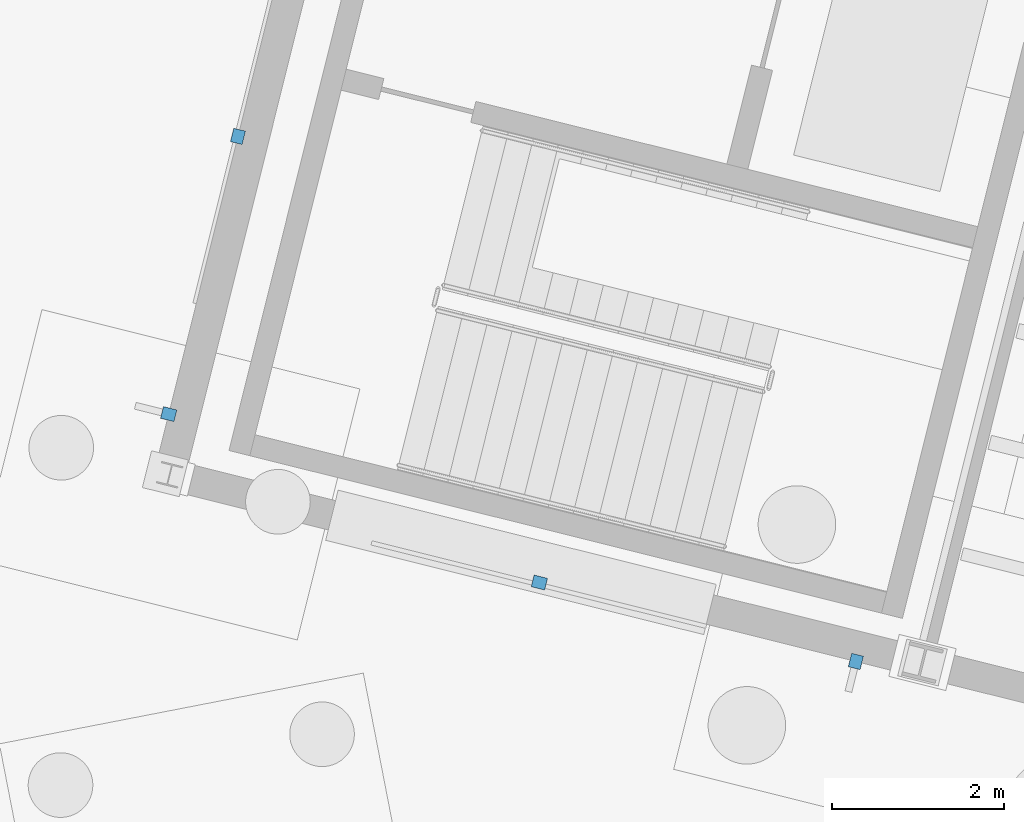
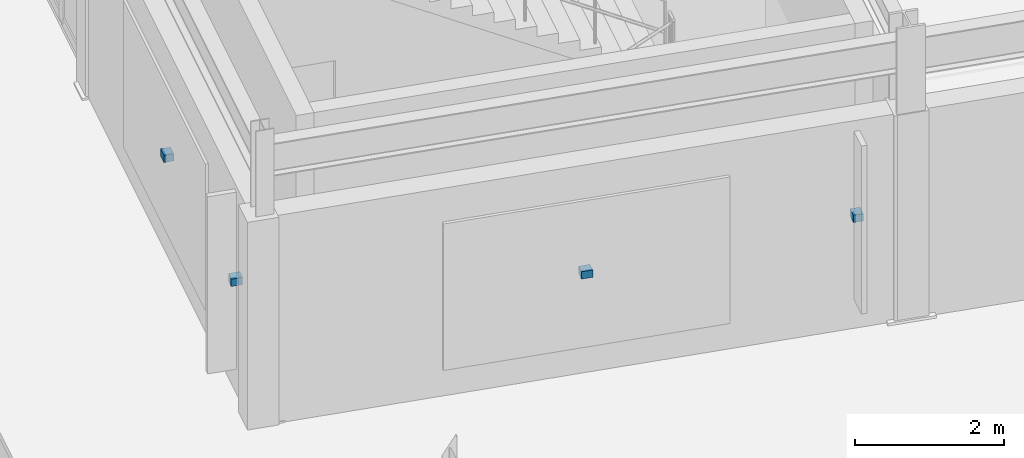
# One storey, part 93 of 108: 4 discrete accessories.
"""IFC4 building model written with IfcOpenShell, lengths in metres."""

from ifc_helpers import new_model, si_unit, direction, frame, origin, origin_2d, place, context, subcontext, project, spatial, rectangle, extrude, material, type_object, element, save


model = new_model("IFC4")

# Units and contexts
model_context = context("Model", 3, precision=1e-05, world=origin(), true_north=direction((0.0, 1.0)))
body_context = subcontext(model_context, "Body", "Model", "MODEL_VIEW")
ifc_project = project(units=[si_unit("LENGTHUNIT", "METRE"), si_unit("AREAUNIT", "SQUARE_METRE"), si_unit("VOLUMEUNIT", "CUBIC_METRE"), si_unit("PLANEANGLEUNIT", "RADIAN"), si_unit("MASSUNIT", "GRAM", prefix="KILO")], contexts=[model_context])

# Site, building, storey
site_placement = place(None, origin())
site = spatial("IfcSite", under=ifc_project, at=site_placement, CompositionType="ELEMENT")
building_placement = place(site_placement, origin())
building = spatial("IfcBuilding", under=site, at=building_placement, Name="Vireo Bluff Cable Station", CompositionType="ELEMENT")
storey_placement = place(building_placement, origin())
storey = spatial("IfcBuildingStorey", under=building, at=storey_placement, Name="L00", CompositionType="ELEMENT", Elevation=0.0)

# Discrete accessories
ifc_material = material(Name="Stainless Steel 316", Category="steel")
discrete_accessory_type = type_object("IfcDiscreteAccessoryType", Name="FACADE-BRACKET-01", PredefinedType="BRACKET", material=ifc_material)
for number, where, z_axis, x_axis, name in (
    (1, (61.960205078125, 35.8349609375, 1.7900390625), (0.0, 0.0, 1.0), (-0.970295730384, 0.241921879122, 0.0), "V1 L00 solar fin bracket 1"),
    (2, (53.98974609375, 38.703369140625, 1.7900390625), (0.0, 0.0, 1.0), (0.241921826573, 0.970295743486, 0.0), "V1 L00 solar fin bracket 2"),
):
    element("IfcDiscreteAccessory", number, at=place(storey_placement, frame(where, z_axis=z_axis, x_axis=x_axis)), inside=storey, type_object=discrete_accessory_type, Name=name, PredefinedType="BRACKET", context=body_context, shape_type="SweptSolid", body=[
        extrude(rectangle(XDim=0.139892578125, YDim=0.159912109375, at=origin_2d()), origin(), (0.0, 0.0, 1.0), 0.1201171875),
    ])
for number, where, z_axis, x_axis, name in (
    (3, (58.28857421875, 36.75048828125, 1.58984375), (0.0, 0.0, 1.0), (-0.970295730384, 0.241921879122, 0.0), "V1 L00 zinc cladding bracket 1"),
    (4, (54.79296875, 41.924560546875, 1.58984375), (0.0, 0.0, 1.0), (0.241921826573, 0.970295743486, 0.0), "V1 L00 zinc cladding bracket 2"),
):
    element("IfcDiscreteAccessory", number, at=place(storey_placement, frame(where, z_axis=z_axis, x_axis=x_axis)), inside=storey, type_object=discrete_accessory_type, Name=name, PredefinedType="BRACKET", context=body_context, shape_type="SweptSolid", body=[
        extrude(rectangle(XDim=0.159912109375, YDim=0.139892578125, at=origin_2d()), origin(), (0.0, 0.0, 1.0), 0.1201171875),
    ])

save(model, "model.ifc")
